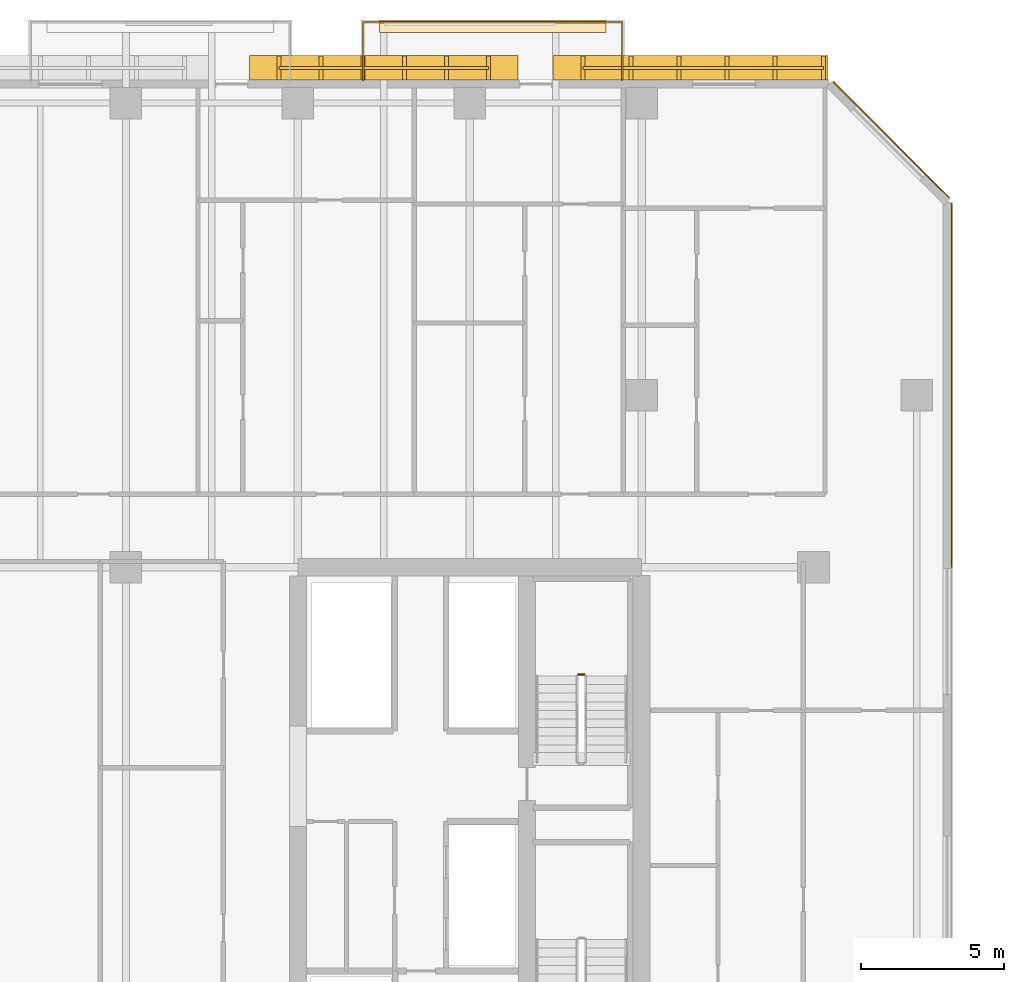
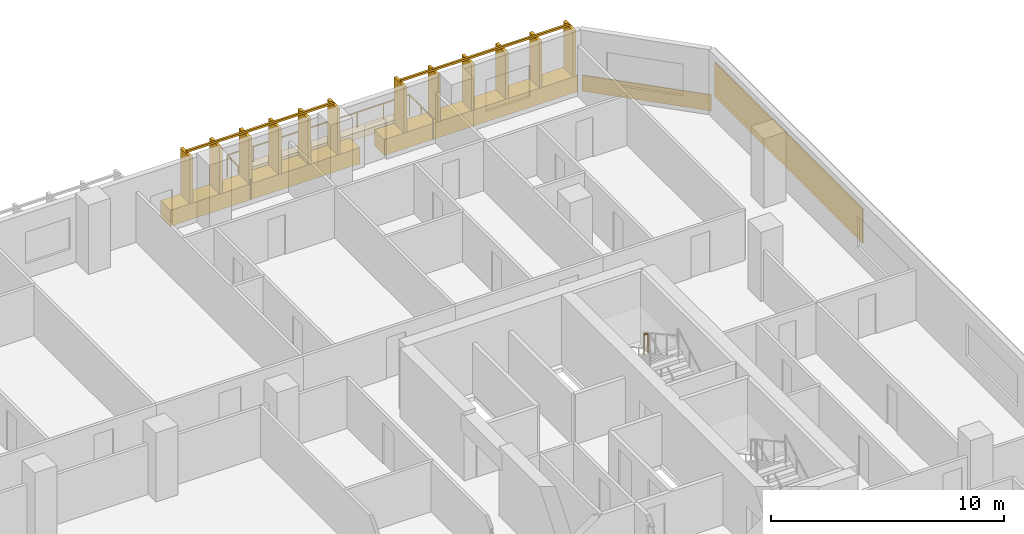
# One storey, part 26 of 26: 5 coverings, 4 railings.
"""IFC4 building model written with IfcOpenShell, lengths in metres."""

from ifc_helpers import new_model, si_unit, direction, frame, origin, origin_2d, place, context, subcontext, project, spatial, polyline, rectangle, outline, extrude, material, layer, layer_set, type_object, element, save


model = new_model("IFC4")

# Units and contexts
model_context = context("Model", 3, precision=1e-05, world=origin(), true_north=direction((0.0, 1.0)))
body_context = subcontext(model_context, "Body", "Model", "MODEL_VIEW")
ifc_project = project(units=[si_unit("LENGTHUNIT", "METRE"), si_unit("AREAUNIT", "SQUARE_METRE"), si_unit("VOLUMEUNIT", "CUBIC_METRE"), si_unit("PLANEANGLEUNIT", "RADIAN"), si_unit("MASSUNIT", "GRAM", prefix="KILO")], contexts=[model_context])

# Site, building, storey
site_placement = place(None, origin())
site = spatial("IfcSite", under=ifc_project, at=site_placement, CompositionType="ELEMENT")
building_placement = place(site_placement, origin())
building = spatial("IfcBuilding", under=site, at=building_placement, Name="Tanjung Sevakor Pilgrim Tower", CompositionType="ELEMENT")
storey_placement = place(building_placement, frame((0.0, 0.0, 66.0)))
storey = spatial("IfcBuildingStorey", under=building, at=storey_placement, Name="L18", CompositionType="ELEMENT", Elevation=66.0)

# Coverings
ifc_material_1 = material(Name="Reconstructed Limestone Cladding", Category="masonry")
ifc_layer_1 = layer(ifc_material_1, 0.044921875)
ifc_layer_set_1 = layer_set([ifc_layer_1], Name="COV-CLAD-LIMESTONE")
covering_type_1 = type_object("IfcCoveringType", Name="COV-CLAD-LIMESTONE", PredefinedType="CLADDING", material=ifc_layer_set_1)
covering_1_placement = place(storey_placement, frame((100.822509765625, 48.950927734375, 0.849853515625), z_axis=(0.0, 0.0, 1.0), x_axis=(0.0, 1.0, 0.0)))
element("IfcCovering", 1, at=covering_1_placement, inside=storey, type_object=covering_type_1, Name="L18 Warm Limestone Pier Panel EW-L18-MAIN-7-3", PredefinedType="CLADDING", context=body_context, shape_type="SweptSolid", body=[
    extrude(rectangle(XDim=12.701904296875, YDim=0.044921875, at=origin_2d()), origin(), (0.0, 0.0, 1.0), 1.81005859375),
])
covering_2_placement = place(storey_placement, frame((98.7158203125, 57.515869140625, 0.009765625), z_axis=(0.0, 0.0, 1.0), x_axis=(-0.707106781187, 0.707106781187, 0.0)))
element("IfcCovering", 2, at=covering_2_placement, inside=storey, type_object=covering_type_1, Name="L18 Warm Limestone Sill Spandrel EW-CHM-L18-MAIN-7-1", PredefinedType="CLADDING", context=body_context, shape_type="SweptSolid", body=[
    extrude(rectangle(XDim=5.74365234375, YDim=0.044921875, at=origin_2d()), origin(), (0.0, 0.0, 1.0), 0.840087890625),
])
covering_3_placement = place(storey_placement, frame((91.7060546875, 60.030029296875, 0.009765625), z_axis=(0.0, 0.0, 1.0), x_axis=(-1.0, 0.0, 0.0)))
element("IfcCovering", 3, at=covering_3_placement, inside=storey, type_object=covering_type_1, Name="L18 Warm Limestone Sill Spandrel EW-L18-MAIN-9-1", PredefinedType="CLADDING", context=body_context, shape_type="SweptSolid", body=[
    extrude(rectangle(XDim=9.592041015625, YDim=0.860107421875, at=origin_2d()), origin(), (0.0, 0.0, 1.0), 0.840087890625),
])
covering_4_placement = place(storey_placement, frame((81.0, 60.030029296875, 0.009765625), z_axis=(0.0, 0.0, 1.0), x_axis=(-1.0, 0.0, 0.0)))
element("IfcCovering", 4, at=covering_4_placement, inside=storey, type_object=covering_type_1, Name="L18 Warm Limestone Sill Spandrel EW-L18-MAIN-9-2", PredefinedType="CLADDING", context=body_context, shape_type="SweptSolid", body=[
    extrude(rectangle(XDim=9.3798828125, YDim=0.860107421875, at=origin_2d()), origin(), (0.0, 0.0, 1.0), 0.840087890625),
])
ifc_material_2 = material(Name="Vegetated Modular Planter Assembly", Category="organic")
ifc_layer_2 = layer(ifc_material_2, 0.35009765625)
ifc_layer_set_2 = layer_set([ifc_layer_2], Name="COV-GRN-TROUGH")
covering_type_2 = type_object("IfcCoveringType", Name="COV-GRN-TROUGH", PredefinedType="CLADDING", material=ifc_layer_set_2)
covering_5_placement = place(storey_placement, origin())
element("IfcCovering", 5, at=covering_5_placement, inside=storey, type_object=covering_type_2, Name="L18 Planted Landscape Hedge Trough BGRN-L18-MAIN-N4", PredefinedType="CLADDING", context=body_context, shape_type="SweptSolid", body=[
    extrude(outline(polyline([(80.85009765625, 61.260009765625), (88.75, 61.260009765625), (88.75, 61.699951171875), (80.85009765625, 61.699951171875), (80.85009765625, 61.260009765625)])), origin(), (0.0, 0.0, 1.0), 0.35009765625),
])

# Railings
ifc_material_3 = material(Name="Laminated Glass and Aluminium", Category="aluminium")
railing_type_1 = type_object("IfcRailingType", Name="RL-BAL-BALUST", PredefinedType="BALUSTRADE", material=ifc_material_3)
railing_1_placement = place(storey_placement, frame((80.280029296875, 59.60009765625, 0.0)))
element("IfcRailing", 6, at=railing_1_placement, inside=storey, type_object=railing_type_1, Name="L18 Loggia Balustrade MAIN-N4", PredefinedType="BALUSTRADE", context=body_context, shape_type="SweptSolid", body=[
    extrude(rectangle(XDim=0.0479, YDim=0.0479), frame((0.0, 0.0, 1.1259765625), z_axis=(0.0, 1.0, 0.0), x_axis=(-1.0, 0.0, 0.0)), (0.0, 0.0, 1.0), 2.02001953125),
    extrude(rectangle(XDim=0.0479, YDim=0.0479), frame((0.0, 2.02001953125, 1.1259765625), z_axis=(1.0, 0.0, 0.0), x_axis=(0.0, 1.0, 0.0)), (0.0, 0.0, 1.0), 9.0400390625),
    extrude(rectangle(XDim=0.0479, YDim=0.0479), frame((9.0400390625, 2.02001953125, 1.1259765625), z_axis=(0.0, -1.0, 0.0), x_axis=(1.0, 0.0, 0.0)), (0.0, 0.0, 1.0), 2.02001953125),
    extrude(rectangle(XDim=0.042, YDim=0.042), origin(), (0.0, 0.0, 1.0), 1.101806640625),
    extrude(rectangle(XDim=0.042, YDim=0.042), frame((0.0, 1.010009765625, 0.0)), (0.0, 0.0, 1.0), 1.101806640625),
    extrude(rectangle(XDim=0.042, YDim=0.042), frame((0.0, 2.02001953125, 0.0)), (0.0, 0.0, 1.0), 1.101806640625),
    extrude(rectangle(XDim=0.042, YDim=0.042), frame((1.29150390625, 2.02001953125, 0.0)), (0.0, 0.0, 1.0), 1.101806640625),
    extrude(rectangle(XDim=0.042, YDim=0.042), frame((2.582763671875, 2.02001953125, 0.0)), (0.0, 0.0, 1.0), 1.101806640625),
    extrude(rectangle(XDim=0.042, YDim=0.042), frame((3.874267578125, 2.02001953125, 0.0)), (0.0, 0.0, 1.0), 1.101806640625),
    extrude(rectangle(XDim=0.042, YDim=0.042), frame((5.165771484375, 2.02001953125, 0.0)), (0.0, 0.0, 1.0), 1.101806640625),
    extrude(rectangle(XDim=0.042, YDim=0.042), frame((6.457275390625, 2.02001953125, 0.0)), (0.0, 0.0, 1.0), 1.101806640625),
    extrude(rectangle(XDim=0.042, YDim=0.042), frame((7.74853515625, 2.02001953125, 0.0)), (0.0, 0.0, 1.0), 1.101806640625),
    extrude(rectangle(XDim=0.042, YDim=0.042), frame((9.0400390625, 2.02001953125, 0.0)), (0.0, 0.0, 1.0), 1.101806640625),
    extrude(rectangle(XDim=0.042, YDim=0.042), frame((9.0400390625, 1.010009765625, 0.0)), (0.0, 0.0, 1.0), 1.101806640625),
    extrude(rectangle(XDim=0.042, YDim=0.042), frame((9.0400390625, 0.0, 0.0)), (0.0, 0.0, 1.0), 1.101806640625),
])
ifc_material_4 = material(Name="Anodised Bronze Aluminium 6063-T6", Category="aluminium")
railing_type_2 = type_object("IfcRailingType", Name="RL-FIN-SCREEN", PredefinedType="BALUSTRADE", material=ifc_material_4)
railing_2_placement = place(storey_placement, frame((96.342041015625, 60.02490234375, 0.840087890625)))
element("IfcRailing", 7, at=railing_2_placement, inside=storey, type_object=railing_type_2, Name="L18 Vertical Bronze-Gold Solar Fin Screen FNSCR-EW-L18-MAIN-9-1", PredefinedType="BALUSTRADE", context=body_context, shape_type="SweptSolid", body=[
    extrude(rectangle(XDim=0.105, YDim=0.105), frame((0.0, 0.0, 2.487548828125), z_axis=(-1.0, 0.0, 0.0), x_axis=(0.0, -1.0, 0.0)), (0.0, 0.0, 1.0), 8.39208984375),
    extrude(rectangle(XDim=0.14, YDim=0.85), origin(), (0.0, 0.0, 1.0), 2.43505859375),
    extrude(rectangle(XDim=0.14, YDim=0.85), frame((-1.678466796875, 0.0, 0.0)), (0.0, 0.0, 1.0), 2.43505859375),
    extrude(rectangle(XDim=0.14, YDim=0.85), frame((-3.35693359375, 0.0, 0.0)), (0.0, 0.0, 1.0), 2.43505859375),
    extrude(rectangle(XDim=0.14, YDim=0.85), frame((-5.03515625, 0.0, 0.0)), (0.0, 0.0, 1.0), 2.43505859375),
    extrude(rectangle(XDim=0.14, YDim=0.85), frame((-6.713623046875, 0.0, 0.0)), (0.0, 0.0, 1.0), 2.43505859375),
    extrude(rectangle(XDim=0.14, YDim=0.85), frame((-8.39208984375, 0.0, 0.0)), (0.0, 0.0, 1.0), 2.43505859375),
])
railing_3_placement = place(storey_placement, frame((84.64990234375, 60.02490234375, 0.840087890625)))
element("IfcRailing", 8, at=railing_3_placement, inside=storey, type_object=railing_type_2, Name="L18 Vertical Bronze-Gold Solar Fin Screen FNSCR-EW-L18-MAIN-9-2", PredefinedType="BALUSTRADE", context=body_context, shape_type="SweptSolid", body=[
    extrude(rectangle(XDim=0.105, YDim=0.105), frame((0.0, 0.0, 2.487548828125), z_axis=(-1.0, 0.0, 0.0), x_axis=(0.0, -1.0, 0.0)), (0.0, 0.0, 1.0), 7.2998046875),
    extrude(rectangle(XDim=0.14, YDim=0.85), origin(), (0.0, 0.0, 1.0), 2.43505859375),
    extrude(rectangle(XDim=0.14, YDim=0.85), frame((-1.4599609375, 0.0, 0.0)), (0.0, 0.0, 1.0), 2.43505859375),
    extrude(rectangle(XDim=0.14, YDim=0.85), frame((-2.919921875, 0.0, 0.0)), (0.0, 0.0, 1.0), 2.43505859375),
    extrude(rectangle(XDim=0.14, YDim=0.85), frame((-4.3798828125, 0.0, 0.0)), (0.0, 0.0, 1.0), 2.43505859375),
    extrude(rectangle(XDim=0.14, YDim=0.85), frame((-5.83984375, 0.0, 0.0)), (0.0, 0.0, 1.0), 2.43505859375),
    extrude(rectangle(XDim=0.14, YDim=0.85), frame((-7.2998046875, 0.0, 0.0)), (0.0, 0.0, 1.0), 2.43505859375),
])
ifc_material_5 = material(Name="Steel S355J2", Category="steel")
railing_type_3 = type_object("IfcRailingType", Name="RL-STAIR-GUARD", PredefinedType="GUARDRAIL", material=ifc_material_5)
railing_4_placement = place(storey_placement, frame((88.0, 38.85009765625, 1.81494140625)))
element("IfcRailing", 9, at=railing_4_placement, inside=storey, type_object=railing_type_3, Name="L18 TS-E2 stair guard 2", PredefinedType="GUARDRAIL", context=body_context, shape_type="SweptSolid", body=[
    extrude(rectangle(XDim=0.0479, YDim=0.0479), frame((0.0, 0.0, 1.076171875), z_axis=(-1.0, 0.0, 0.0), x_axis=(0.0, -1.0, 0.0)), (0.0, 0.0, 1.0), 0.199951171875),
    extrude(rectangle(XDim=0.042, YDim=0.042), origin(), (0.0, 0.0, 1.0), 1.052001953125),
    extrude(rectangle(XDim=0.042, YDim=0.042), frame((-0.199951171875, 0.0, 0.0)), (0.0, 0.0, 1.0), 1.052001953125),
])

save(model, "model.ifc")
